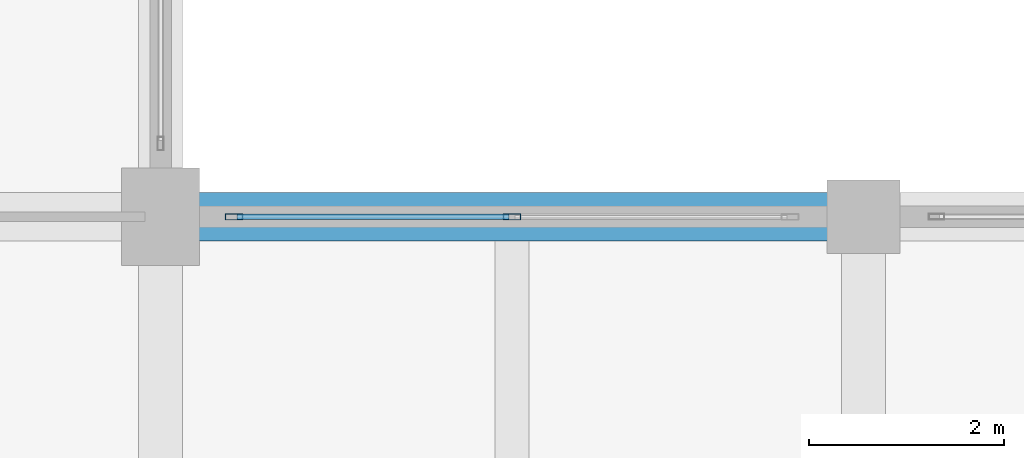
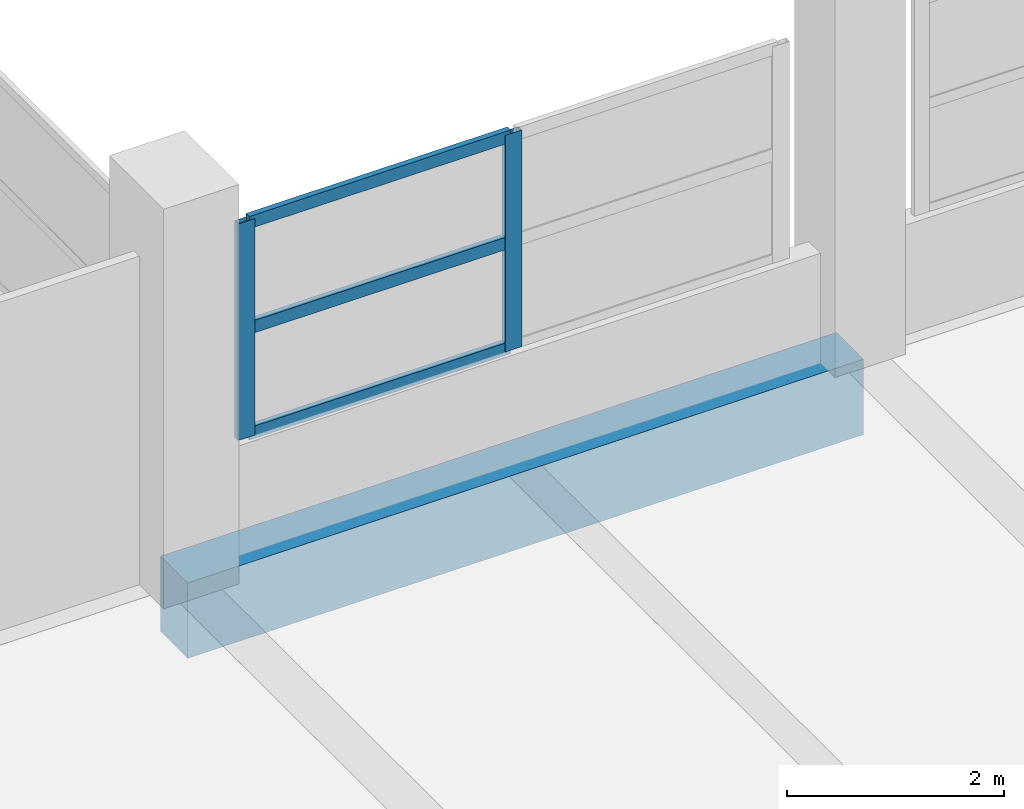
# One storey, part 12 of 141: 5 members, 1 beam, 1 element without a shape of its own.
"""IFC4 building model written with IfcOpenShell, lengths in metres."""

from ifc_helpers import new_model, si_unit, direction, frame, origin, origin_2d, place, context, subcontext, project, spatial, rectangle, hollow_rectangle, extrude, material, layer, layer_set, material_profile, profile_set, type_object, element, aggregate, save


model = new_model("IFC4")

# Units and contexts
model_context = context("Model", 3, precision=1e-05, world=origin(), true_north=direction((0.0, 1.0)))
body_context = subcontext(model_context, "Body", "Model", "MODEL_VIEW")
ifc_project = project(units=[si_unit("LENGTHUNIT", "METRE"), si_unit("AREAUNIT", "SQUARE_METRE"), si_unit("VOLUMEUNIT", "CUBIC_METRE"), si_unit("PLANEANGLEUNIT", "RADIAN"), si_unit("MASSUNIT", "GRAM", prefix="KILO")], contexts=[model_context])

# Site, building, storey
site_placement = place(None, origin())
site = spatial("IfcSite", under=ifc_project, at=site_placement, CompositionType="ELEMENT")
building_placement = place(site_placement, origin())
building = spatial("IfcBuilding", under=site, at=building_placement, Name="Seraya Terrace Polytechnic", CompositionType="ELEMENT")
storey_placement = place(building_placement, frame((0.0, 0.0, 14.39990234375)))
storey = spatial("IfcBuildingStorey", under=building, at=storey_placement, Name="L03", CompositionType="ELEMENT", Elevation=14.39990234375)

# Beam
ifc_material_1 = material(Name="Concrete C40/50", Category="concrete")
ifc_material_profile_1 = material_profile(ifc_material_1, rectangle(XDim=0.5, YDim=0.85009765625, at=origin_2d()), Name="RC 500x850")
ifc_profile_set_1 = profile_set([ifc_material_profile_1], Name="Concrete C40/50")
beam_type = type_object("IfcBeamType", Name="BM-05", PredefinedType="BEAM", material=ifc_profile_set_1)
beam_placement = place(storey_placement, frame((43.199951171875, 28.800048828125, -0.4248046875), z_axis=(1.0, 0.0, 0.0), x_axis=(0.0, 1.0, 0.0)))
element("IfcBeam", 1, at=beam_placement, inside=storey, type_object=beam_type, Name="Beam BM-05 L03 X (43.2..50.4, 28.8)", PredefinedType="BEAM", context=body_context, shape_type="SweptSolid", body=[
    extrude(rectangle(XDim=0.5, YDim=0.85009765625, at=origin_2d()), origin(), (0.0, 0.0, 1.0), 7.199951171875),
])

# Curtain wall, members
ifc_material_2 = material(Name="Anodised aluminium EN AW-6063 T6", Category="aluminium")
ifc_layer = layer(ifc_material_2, 0.179931640625, Name="CW-07")
ifc_layer_set = layer_set([ifc_layer], Name="Anodised aluminium EN AW-6063 T6")
curtain_wall_type = type_object("IfcCurtainWallType", Name="CW-07", PredefinedType="NOTDEFINED", material=ifc_layer_set)
curtain_wall_placement = place(storey_placement, origin())
curtain_wall = element("IfcCurtainWall", 2, at=curtain_wall_placement, inside=storey, type_object=curtain_wall_type, Name="Unitised curtain wall CW-07 (CW-L03-151)", PredefinedType="NOTDEFINED")
ifc_material_profile_2 = material_profile(ifc_material_2, hollow_rectangle(XDim=0.06494140625, YDim=0.179931640625, WallThickness=0.00390625, at=origin_2d()), Name="RHS 180x65x4.0")
ifc_profile_set_2 = profile_set([ifc_material_profile_2], Name="Anodised aluminium EN AW-6063 T6")
member_type_1 = type_object("IfcMemberType", Name="CWM-01", PredefinedType="MULLION", material=ifc_profile_set_2)
member_1_placement = place(storey_placement, frame((43.952392578125, 28.800048828125, 1.239990234375), z_axis=(0.0, 0.0, 1.0), x_axis=(0.0, 1.0, 0.0)))
member_1 = element("IfcMember", 3, at=member_1_placement, type_object=member_type_1, Name="CW-07 mullion 1", PredefinedType="MULLION", context=body_context, shape_type="SweptSolid", body=[
    extrude(hollow_rectangle(XDim=0.06494140625, YDim=0.179931640625, WallThickness=0.00390625, at=origin_2d()), origin(), (0.0, 0.0, 1.0), 2.440185546875),
])
member_2_placement = place(storey_placement, frame((46.800048828125, 28.800048828125, 1.239990234375), z_axis=(0.0, 0.0, 1.0), x_axis=(0.0, 1.0, 0.0)))
member_2 = element("IfcMember", 4, at=member_2_placement, type_object=member_type_1, Name="CW-07 mullion 2", PredefinedType="MULLION", context=body_context, shape_type="SweptSolid", body=[
    extrude(hollow_rectangle(XDim=0.06494140625, YDim=0.179931640625, WallThickness=0.00390625, at=origin_2d()), origin(), (0.0, 0.0, 1.0), 2.440185546875),
])
ifc_material_profile_3 = material_profile(ifc_material_2, hollow_rectangle(XDim=0.06005859375, YDim=0.139892578125, WallThickness=0.00341796875, at=origin_2d()), Name="RHS 140x60x3.5")
ifc_profile_set_3 = profile_set([ifc_material_profile_3], Name="Anodised aluminium EN AW-6063 T6")
member_type_2 = type_object("IfcMemberType", Name="CWT-01", PredefinedType="USERDEFINED", material=ifc_profile_set_3)
member_3_placement = place(storey_placement, frame((43.985107421875, 28.800048828125, 1.27001953125), z_axis=(1.0, 0.0, 0.0), x_axis=(0.0, 1.0, 0.0)))
member_3 = element("IfcMember", 5, at=member_3_placement, type_object=member_type_2, Name="CW-07 transom 1.1", ObjectType="TRANSOM", PredefinedType="USERDEFINED", context=body_context, shape_type="SweptSolid", body=[
    extrude(hollow_rectangle(XDim=0.06005859375, YDim=0.139892578125, WallThickness=0.00341796875, at=origin_2d()), origin(), (0.0, 0.0, 1.0), 2.782470703125),
])
member_4_placement = place(storey_placement, frame((43.985107421875, 28.800048828125, 2.460205078125), z_axis=(1.0, 0.0, 0.0), x_axis=(0.0, 1.0, 0.0)))
member_4 = element("IfcMember", 6, at=member_4_placement, type_object=member_type_2, Name="CW-07 transom 1.2", ObjectType="TRANSOM", PredefinedType="USERDEFINED", context=body_context, shape_type="SweptSolid", body=[
    extrude(hollow_rectangle(XDim=0.06005859375, YDim=0.139892578125, WallThickness=0.00341796875, at=origin_2d()), origin(), (0.0, 0.0, 1.0), 2.782470703125),
])
member_5_placement = place(storey_placement, frame((43.985107421875, 28.800048828125, 3.650146484375), z_axis=(1.0, 0.0, 0.0), x_axis=(0.0, 1.0, 0.0)))
member_5 = element("IfcMember", 7, at=member_5_placement, type_object=member_type_2, Name="CW-07 transom 1.3", ObjectType="TRANSOM", PredefinedType="USERDEFINED", context=body_context, shape_type="SweptSolid", body=[
    extrude(hollow_rectangle(XDim=0.06005859375, YDim=0.139892578125, WallThickness=0.00341796875, at=origin_2d()), origin(), (0.0, 0.0, 1.0), 2.782470703125),
])
aggregate(curtain_wall, [member_1, member_2, member_3, member_4, member_5])

save(model, "model.ifc")
